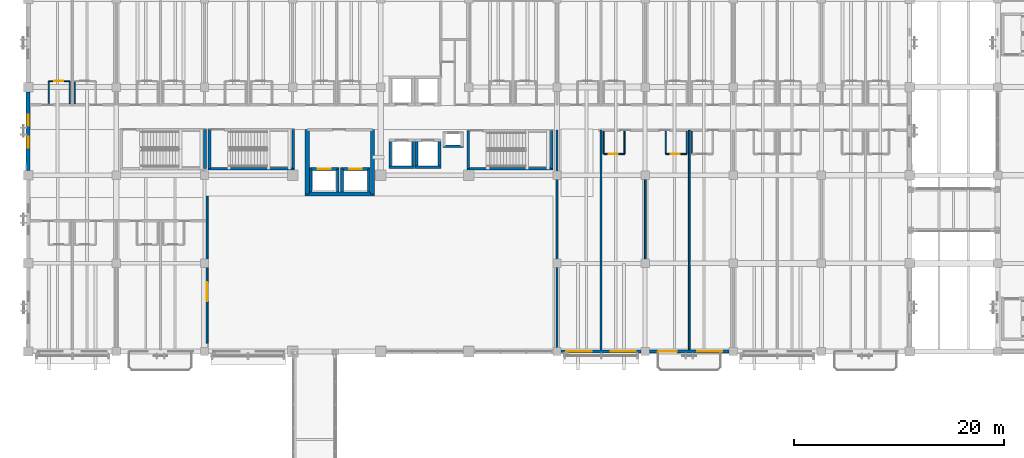
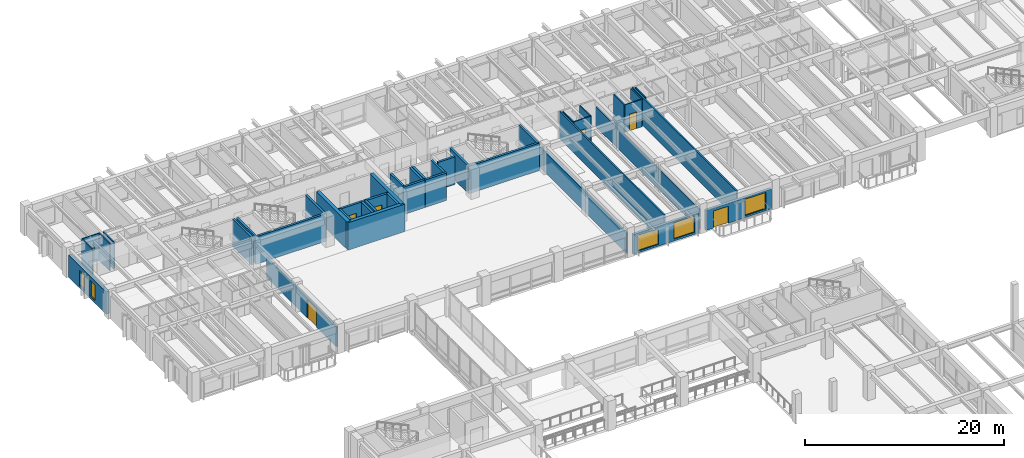
# One storey, part 71 of 118: 42 walls, 7 doors, 5 windows, 12 openings.
"""IFC4 building model written with IfcOpenShell, lengths in metres."""

from ifc_helpers import new_model, si_unit, direction, frame, frame_2d, origin, place, context, subcontext, project, spatial, rectangle, extrude, material, layer, layer_set, type_object, element, fill, save


model = new_model("IFC4")

# Units and contexts
model_context = context("Model", 3, precision=1e-05, world=origin(), true_north=direction((0.0, 1.0)))
body_context = subcontext(model_context, "Body", "Model", "MODEL_VIEW")
ifc_project = project(units=[si_unit("LENGTHUNIT", "METRE"), si_unit("AREAUNIT", "SQUARE_METRE"), si_unit("VOLUMEUNIT", "CUBIC_METRE"), si_unit("PLANEANGLEUNIT", "RADIAN"), si_unit("MASSUNIT", "GRAM", prefix="KILO")], contexts=[model_context])

# Site, building, storey
site_placement = place(None, origin())
site = spatial("IfcSite", under=ifc_project, at=site_placement, CompositionType="ELEMENT")
building_placement = place(site_placement, origin())
building = spatial("IfcBuilding", under=site, at=building_placement, Name="Cumbredor Promenade Congress Hotel", CompositionType="ELEMENT")
storey_placement = place(building_placement, frame((0.0, 0.0, 3.919921875)))
storey = spatial("IfcBuildingStorey", under=building, at=storey_placement, Name="L01", CompositionType="ELEMENT", Elevation=3.919921875)

# Walls
ifc_material_1 = material(Name="Concrete C50/60", Category="concrete")
ifc_layer_1 = layer(ifc_material_1, 0.39990234375, Name="Concrete C50/60", Category="concrete")
ifc_layer_set_1 = layer_set([ifc_layer_1], Name="Concrete C50/60")
wall_type_1 = type_object("IfcWallType", Name="Seismic Shear Core Wall 400mm", PredefinedType="SHEAR", material=ifc_layer_set_1)
wall_1_placement = place(storey_placement, frame((26.60009765625, 99.0, 0.0), z_axis=(0.0, 0.0, 1.0), x_axis=(0.0, 1.0, 0.0)))
element("IfcWall", 1, at=wall_1_placement, inside=storey, type_object=wall_type_1, Name="L01 Hotel Core Shear Wall W1", PredefinedType="SHEAR", context=body_context, shape_type="SweptSolid", body=[
    extrude(rectangle(XDim=6.14990234375, YDim=0.39990234375, at=frame_2d((3.074951171875, 0.0))), origin(), (0.0, 0.0, 1.0), 3.360107421875),
])
wall_2_placement = place(storey_placement, frame((26.39990234375, 99.0, 0.0), z_axis=(0.0, 0.0, 1.0), x_axis=(1.0, 0.0, 0.0)))
element("IfcWall", 2, at=wall_2_placement, inside=storey, type_object=wall_type_1, Name="L01 Hotel Core Shear Wall S1", PredefinedType="SHEAR", context=body_context, shape_type="SweptSolid", body=[
    extrude(rectangle(XDim=6.60009765625, YDim=0.39990234375, at=frame_2d((3.300048828125, 0.0))), origin(), (0.0, 0.0, 1.0), 3.360107421875),
])
wall_3_placement = place(storey_placement, frame((32.800048828125, 99.0, 0.0), z_axis=(0.0, 0.0, 1.0), x_axis=(0.0, 1.0, 0.0)))
element("IfcWall", 3, at=wall_3_placement, inside=storey, type_object=wall_type_1, Name="L01 Hotel Core Shear Wall E1", PredefinedType="SHEAR", context=body_context, shape_type="SweptSolid", body=[
    extrude(rectangle(XDim=6.14990234375, YDim=0.39990234375, at=frame_2d((3.074951171875, 0.0))), origin(), (0.0, 0.0, 1.0), 3.360107421875),
])

# Wall, opening, door
ifc_material_2 = material(Name="Moisture-resistant gypsum board on steel studs", Category="steel")
ifc_layer_2 = layer(ifc_material_2, 0.114990234375, Name="Moisture-resistant gypsum board on steel studs", Category="steel")
ifc_layer_set_2 = layer_set([ifc_layer_2], Name="Moisture-resistant gypsum board on steel studs")
wall_type_2 = type_object("IfcWallType", Name="WL-BATH-115", PredefinedType="PARTITIONING", material=ifc_layer_set_2)
wall_4_placement = place(storey_placement, frame((1.9599609375, 109.77001953125, 0.0), z_axis=(0.0, 0.0, 1.0), x_axis=(1.0, 0.0, 0.0)))
wall_4 = element("IfcWall", 4, at=wall_4_placement, inside=storey, type_object=wall_type_2, Name="L01 Interior Partition W-L01-BH-0101", PredefinedType="PARTITIONING", context=body_context, shape_type="SweptSolid", body=[
    extrude(rectangle(XDim=2.0, YDim=0.114990234375, at=frame_2d((1.0, 0.0))), origin(), (0.0, 0.0, 1.0), 3.360107421875),
])
opening_1_placement = place(wall_4_placement, frame((0.5, 0.0, 0.0)))
opening_1 = element("IfcOpeningElement", 5, at=opening_1_placement, cuts=wall_4, Name="Opening ID-01", PredefinedType="OPENING", context=body_context, shape_type="SweptSolid", body=[
    extrude(rectangle(XDim=0.860107421875, YDim=2.050048828125, at=frame_2d((0.43017578125, 1.02490234375))), frame((0.0, 0.0673828125, 0.0), z_axis=(0.0, -1.0, 0.0), x_axis=(1.0, 0.0, 0.0)), (0.0, 0.0, 1.0), 0.135009765625),
])
ifc_material_3 = material(Name="Kiln-dried tropical hardwood", Category="wood")
door_type_1 = type_object("IfcDoorType", Name="DR-BATH-860", OperationType="NOTDEFINED", PredefinedType="DOOR", material=ifc_material_3)
door_1_placement = place(opening_1_placement, origin())
door_1 = element("IfcDoor", 6, at=door_1_placement, inside=storey, type_object=door_type_1, Name="L01 Interior Door W-L01-BH-0101-01", OperationType="SINGLE_SWING_LEFT", OverallHeight=2.050048828125, OverallWidth=0.860107421875, PredefinedType="DOOR", context=body_context, shape_type="SweptSolid", body=[
    extrude(rectangle(XDim=0.860107421875, YDim=2.050048828125, at=frame_2d((0.43017578125, 1.02490234375))), frame((0.0, 0.02490234375, 0.0), z_axis=(0.0, -1.0, 0.0), x_axis=(1.0, 0.0, 0.0)), (0.0, 0.0, 1.0), 0.050048828125),
])
fill(opening_1, door_1)

# Walls
for number, where, z_axis, x_axis, name in (
    (7, (1.9599609375, 107.6201171875, 0.0), (0.0, 0.0, 1.0), (0.0, 1.0, 0.0), "L01 Interior Partition W-L01-BV1-0101"),
    (8, (3.9599609375, 107.6201171875, 0.0), (0.0, 0.0, 1.0), (0.0, 1.0, 0.0), "L01 Interior Partition W-L01-BV2-0101"),
    (9, (4.43994140625, 107.6201171875, 0.0), (0.0, 0.0, 1.0), (0.0, 1.0, 0.0), "L01 Interior Partition W-L01-BV1-0102"),
):
    element("IfcWall", number, at=place(storey_placement, frame(where, z_axis=z_axis, x_axis=x_axis)), inside=storey, type_object=wall_type_2, Name=name, PredefinedType="PARTITIONING", context=body_context, shape_type="SweptSolid", body=[
        extrude(rectangle(XDim=2.14990234375, YDim=0.114990234375, at=frame_2d((1.074951171875, 0.0))), origin(), (0.0, 0.0, 1.0), 3.360107421875),
    ])

# Wall, opening, door
wall_5_placement = place(storey_placement, frame((54.840087890625, 102.830078125, 0.0), z_axis=(0.0, 0.0, 1.0), x_axis=(1.0, 0.0, 0.0)))
wall_5 = element("IfcWall", 10, at=wall_5_placement, inside=storey, type_object=wall_type_2, Name="L01 Interior Partition W-L01-BH-0119", PredefinedType="PARTITIONING", context=body_context, shape_type="SweptSolid", body=[
    extrude(rectangle(XDim=2.0, YDim=0.114990234375, at=frame_2d((1.0, 0.0))), origin(), (0.0, 0.0, 1.0), 3.360107421875),
])
opening_2_placement = place(wall_5_placement, frame((0.5, 0.0, 0.0)))
opening_2 = element("IfcOpeningElement", 11, at=opening_2_placement, cuts=wall_5, Name="Opening ID-01", PredefinedType="OPENING", context=body_context, shape_type="SweptSolid", body=[
    extrude(rectangle(XDim=0.860107421875, YDim=2.050048828125, at=frame_2d((0.43017578125, 1.02490234375))), frame((0.0, 0.0673828125, 0.0), z_axis=(0.0, -1.0, 0.0), x_axis=(1.0, 0.0, 0.0)), (0.0, 0.0, 1.0), 0.135009765625),
])
door_2_placement = place(opening_2_placement, origin())
door_2 = element("IfcDoor", 12, at=door_2_placement, inside=storey, type_object=door_type_1, Name="L01 Interior Door W-L01-BH-0119-01", OperationType="SINGLE_SWING_LEFT", OverallHeight=2.050048828125, OverallWidth=0.860107421875, PredefinedType="DOOR", context=body_context, shape_type="SweptSolid", body=[
    extrude(rectangle(XDim=0.860107421875, YDim=2.050048828125, at=frame_2d((0.43017578125, 1.02490234375))), frame((0.0, 0.02490234375, 0.0), z_axis=(0.0, -1.0, 0.0), x_axis=(1.0, 0.0, 0.0)), (0.0, 0.0, 1.0), 0.050048828125),
])
fill(opening_2, door_2)

# Walls
for number, where, z_axis, x_axis, name in (
    (13, (54.840087890625, 102.830078125, 0.0), (0.0, 0.0, 1.0), (0.0, 1.0, 0.0), "L01 Interior Partition W-L01-BV1-0119"),
    (14, (56.840087890625, 102.830078125, 0.0), (0.0, 0.0, 1.0), (0.0, 1.0, 0.0), "L01 Interior Partition W-L01-BV2-0119"),
):
    element("IfcWall", number, at=place(storey_placement, frame(where, z_axis=z_axis, x_axis=x_axis)), inside=storey, type_object=wall_type_2, Name=name, PredefinedType="PARTITIONING", context=body_context, shape_type="SweptSolid", body=[
        extrude(rectangle(XDim=2.14990234375, YDim=0.114990234375, at=frame_2d((1.074951171875, 0.0))), origin(), (0.0, 0.0, 1.0), 3.360107421875),
    ])

# Wall, opening, door
wall_6_placement = place(storey_placement, frame((60.760009765625, 102.830078125, 0.0), z_axis=(0.0, 0.0, 1.0), x_axis=(1.0, 0.0, 0.0)))
wall_6 = element("IfcWall", 15, at=wall_6_placement, inside=storey, type_object=wall_type_2, Name="L01 Interior Partition W-L01-BH-0120", PredefinedType="PARTITIONING", context=body_context, shape_type="SweptSolid", body=[
    extrude(rectangle(XDim=2.0, YDim=0.114990234375, at=frame_2d((1.0, 0.0))), origin(), (0.0, 0.0, 1.0), 3.360107421875),
])
opening_3_placement = place(wall_6_placement, frame((0.5, 0.0, 0.0)))
opening_3 = element("IfcOpeningElement", 16, at=opening_3_placement, cuts=wall_6, Name="Opening ID-01", PredefinedType="OPENING", context=body_context, shape_type="SweptSolid", body=[
    extrude(rectangle(XDim=0.860107421875, YDim=2.050048828125, at=frame_2d((0.43017578125, 1.02490234375))), frame((0.0, 0.0673828125, 0.0), z_axis=(0.0, -1.0, 0.0), x_axis=(1.0, 0.0, 0.0)), (0.0, 0.0, 1.0), 0.135009765625),
])
door_3_placement = place(opening_3_placement, origin())
door_3 = element("IfcDoor", 17, at=door_3_placement, inside=storey, type_object=door_type_1, Name="L01 Interior Door W-L01-BH-0120-01", OperationType="SINGLE_SWING_RIGHT", OverallHeight=2.050048828125, OverallWidth=0.860107421875, PredefinedType="DOOR", context=body_context, shape_type="SweptSolid", body=[
    extrude(rectangle(XDim=0.860107421875, YDim=2.050048828125, at=frame_2d((0.43017578125, 1.02490234375))), frame((0.0, 0.02490234375, 0.0), z_axis=(0.0, -1.0, 0.0), x_axis=(1.0, 0.0, 0.0)), (0.0, 0.0, 1.0), 0.050048828125),
])
fill(opening_3, door_3)

# Walls
for number, where, z_axis, x_axis, name in (
    (18, (60.760009765625, 102.830078125, 0.0), (0.0, 0.0, 1.0), (0.0, 1.0, 0.0), "L01 Interior Partition W-L01-BV1-0120"),
    (19, (62.760009765625, 102.830078125, 0.0), (0.0, 0.0, 1.0), (0.0, 1.0, 0.0), "L01 Interior Partition W-L01-BV2-0120"),
    (20, (63.239990234375, 102.830078125, 0.0), (0.0, 0.0, 1.0), (0.0, 1.0, 0.0), "L01 Interior Partition W-L01-BV1-0121"),
):
    element("IfcWall", number, at=place(storey_placement, frame(where, z_axis=z_axis, x_axis=x_axis)), inside=storey, type_object=wall_type_2, Name=name, PredefinedType="PARTITIONING", context=body_context, shape_type="SweptSolid", body=[
        extrude(rectangle(XDim=2.14990234375, YDim=0.114990234375, at=frame_2d((1.074951171875, 0.0))), origin(), (0.0, 0.0, 1.0), 3.360107421875),
    ])

# Wall, opening, door
ifc_material_4 = material(Name="Fire-rated hotel corridor wall")
ifc_layer_3 = layer(ifc_material_4, 0.179931640625, Name="Fire-rated hotel corridor wall")
ifc_layer_set_3 = layer_set([ifc_layer_3], Name="Fire-rated hotel corridor wall")
wall_type_3 = type_object("IfcWallType", Name="WL-CORR-180", PredefinedType="PARTITIONING", material=ifc_layer_set_3)
wall_7_placement = place(storey_placement, frame((17.050048828125, 84.800048828125, 0.0), z_axis=(0.0, 0.0, 1.0), x_axis=(0.0, 1.0, 0.0)))
wall_7 = element("IfcWall", 21, at=wall_7_placement, inside=storey, type_object=wall_type_3, Name="L01 Interior Partition W-L01-CSAL-W", PredefinedType="PARTITIONING", context=body_context, shape_type="SweptSolid", body=[
    extrude(rectangle(XDim=14.0, YDim=0.179931640625, at=frame_2d((7.0, 0.0))), origin(), (0.0, 0.0, 1.0), 2.39501953125),
])
opening_4_placement = place(wall_7_placement, frame((4.0, 0.0, 0.0)))
opening_4 = element("IfcOpeningElement", 22, at=opening_4_placement, cuts=wall_7, Name="Opening FD-10", PredefinedType="OPENING", context=body_context, shape_type="SweptSolid", body=[
    extrude(rectangle(XDim=1.820068359375, YDim=2.25, at=frame_2d((0.91015625, 1.125))), frame((0.0, 0.10009765625, 0.0), z_axis=(0.0, -1.0, 0.0), x_axis=(1.0, 0.0, 0.0)), (0.0, 0.0, 1.0), 0.199951171875),
])
ifc_material_5 = material(Name="Solid-core fire-rated tropical hardwood", Category="wood")
door_type_2 = type_object("IfcDoorType", Name="DR-DBL-FD60-1800", OperationType="DOUBLE_DOOR_SINGLE_SWING", PredefinedType="DOOR", material=ifc_material_5)
door_4_placement = place(opening_4_placement, origin())
door_4 = element("IfcDoor", 23, at=door_4_placement, inside=storey, type_object=door_type_2, Name="L01 Interior Door W-L01-CSAL-W-01", OperationType="DOUBLE_DOOR_SINGLE_SWING", OverallHeight=2.25, OverallWidth=1.820068359375, PredefinedType="DOOR", context=body_context, shape_type="SweptSolid", body=[
    extrude(rectangle(XDim=1.820068359375, YDim=2.25, at=frame_2d((0.91015625, 1.125))), frame((0.0, 0.02490234375, 0.0), z_axis=(0.0, -1.0, 0.0), x_axis=(1.0, 0.0, 0.0)), (0.0, 0.0, 1.0), 0.050048828125),
])
fill(opening_4, door_4)

# Wall, openings, windows
ifc_material_6 = material(Name="Concrete C40/50", Category="concrete")
ifc_layer_4 = layer(ifc_material_6, 0.280029296875, Name="Concrete C40/50", Category="concrete")
ifc_layer_set_4 = layer_set([ifc_layer_4], Name="Concrete C40/50")
wall_type_4 = type_object("IfcWallType", Name="WL-EXT-280", PredefinedType="SOLIDWALL", material=ifc_layer_set_4)
wall_8_placement = place(storey_placement, frame((50.801025390625, 84.0, 0.0), z_axis=(0.0, 0.0, 1.0), x_axis=(1.0, 0.0, 0.0)))
wall_8 = element("IfcWall", 24, at=wall_8_placement, inside=storey, type_object=wall_type_4, Name="L01 Stepped Congress Hotel Wing South Envelope Wall 7", PredefinedType="SOLIDWALL", context=body_context, shape_type="SweptSolid", body=[
    extrude(rectangle(XDim=7.597900390625, YDim=0.280029296875, at=frame_2d((3.798828125, 0.0))), origin(), (0.0, 0.0, 1.0), 2.445068359375),
])
opening_5_placement = place(wall_8_placement, frame((0.489013671875, 0.0, 0.25)))
opening_5 = element("IfcOpeningElement", 25, at=opening_5_placement, cuts=wall_8, Name="Opening WN-37", PredefinedType="OPENING", context=body_context, shape_type="SweptSolid", body=[
    extrude(rectangle(XDim=2.419921875, YDim=1.89990234375, at=frame_2d((1.2099609375, 0.949951171875))), frame((0.0, 0.14990234375, 0.0), z_axis=(0.0, -1.0, 0.0), x_axis=(1.0, 0.0, 0.0)), (0.0, 0.0, 1.0), 0.300048828125),
])
opening_6_placement = place(wall_8_placement, frame((4.708984375, 0.0, 0.25)))
opening_6 = element("IfcOpeningElement", 26, at=opening_6_placement, cuts=wall_8, Name="Opening WN-41", PredefinedType="OPENING", context=body_context, shape_type="SweptSolid", body=[
    extrude(rectangle(XDim=2.3798828125, YDim=2.0, at=frame_2d((1.18994140625, 1.0))), frame((0.0, 0.14990234375, 0.0), z_axis=(0.0, -1.0, 0.0), x_axis=(1.0, 0.0, 0.0)), (0.0, 0.0, 1.0), 0.300048828125),
])
ifc_material_7 = material(Name="Thermally broken anodized aluminium and low-E glass", Category="aluminium")
window_type_1 = type_object("IfcWindowType", Name="Hospitality Floor-to-Ceiling Window WN-37 2420x1900", PartitioningType="DOUBLE_PANEL_VERTICAL", PredefinedType="WINDOW", material=ifc_material_7)
window_1_placement = place(opening_5_placement, origin())
window_1 = element("IfcWindow", 27, at=window_1_placement, inside=storey, type_object=window_type_1, Name="L01 Wide Hospitality Window 0194", OverallHeight=1.89990234375, OverallWidth=2.419921875, PartitioningType="DOUBLE_PANEL_VERTICAL", PredefinedType="WINDOW", context=body_context, shape_type="SweptSolid", body=[
    extrude(rectangle(XDim=2.419921875, YDim=1.89990234375, at=frame_2d((1.2099609375, 0.949951171875))), frame((0.0, 0.030029296875, 0.0), z_axis=(0.0, -1.0, 0.0), x_axis=(1.0, 0.0, 0.0)), (0.0, 0.0, 1.0), 0.06005859375),
])
fill(opening_5, window_1)
window_type_2 = type_object("IfcWindowType", Name="Hospitality Floor-to-Ceiling Window WN-41 2380x2000", PartitioningType="DOUBLE_PANEL_VERTICAL", PredefinedType="WINDOW", material=ifc_material_7)
window_2_placement = place(opening_6_placement, origin())
window_2 = element("IfcWindow", 28, at=window_2_placement, inside=storey, type_object=window_type_2, Name="L01 Wide Hospitality Window 0195", OverallHeight=2.0, OverallWidth=2.3798828125, PartitioningType="DOUBLE_PANEL_VERTICAL", PredefinedType="WINDOW", context=body_context, shape_type="SweptSolid", body=[
    extrude(rectangle(XDim=2.3798828125, YDim=2.0, at=frame_2d((1.18994140625, 1.0))), frame((0.0, 0.030029296875, 0.0), z_axis=(0.0, -1.0, 0.0), x_axis=(1.0, 0.0, 0.0)), (0.0, 0.0, 1.0), 0.06005859375),
])
fill(opening_6, window_2)

# Wall, openings, door, window
ifc_layer_5 = layer(ifc_material_6, 0.300048828125, Name="Concrete C40/50", Category="concrete")
ifc_layer_set_5 = layer_set([ifc_layer_5], Name="Concrete C40/50")
wall_type_5 = type_object("IfcWallType", Name="WL-EXT-300", PredefinedType="SOLIDWALL", material=ifc_layer_set_5)
wall_9_placement = place(storey_placement, frame((59.200927734375, 84.0, 0.0), z_axis=(0.0, 0.0, 1.0), x_axis=(1.0, 0.0, 0.0)))
wall_9 = element("IfcWall", 29, at=wall_9_placement, inside=storey, type_object=wall_type_5, Name="L01 Stepped Congress Hotel Wing South Envelope Wall 8", PredefinedType="SOLIDWALL", context=body_context, shape_type="SweptSolid", body=[
    extrude(rectangle(XDim=7.59814453125, YDim=0.300048828125, at=frame_2d((3.799072265625, 0.0))), origin(), (0.0, 0.0, 1.0), 2.445068359375),
])
opening_7_placement = place(wall_9_placement, frame((0.8740234375, 0.0, 0.0)))
opening_7 = element("IfcOpeningElement", 30, at=opening_7_placement, cuts=wall_9, Name="Opening TD-03", PredefinedType="OPENING", context=body_context, shape_type="SweptSolid", body=[
    extrude(rectangle(XDim=1.75, YDim=2.080078125, at=frame_2d((0.875, 1.0400390625))), frame((0.0, 0.16015625, 0.0), z_axis=(0.0, -1.0, 0.0), x_axis=(1.0, 0.0, 0.0)), (0.0, 0.0, 1.0), 0.320068359375),
])
opening_8_placement = place(wall_9_placement, frame((4.55908203125, 0.0, 0.25)))
opening_8 = element("IfcOpeningElement", 31, at=opening_8_placement, cuts=wall_9, Name="Opening WN-41", PredefinedType="OPENING", context=body_context, shape_type="SweptSolid", body=[
    extrude(rectangle(XDim=2.3798828125, YDim=2.0, at=frame_2d((1.18994140625, 1.0))), frame((0.0, 0.16015625, 0.0), z_axis=(0.0, -1.0, 0.0), x_axis=(1.0, 0.0, 0.0)), (0.0, 0.0, 1.0), 0.320068359375),
])
ifc_material_8 = material(Name="Thermally broken anodized aluminium and laminated safety glass", Category="aluminium")
door_type_3 = type_object("IfcDoorType", Name="EXT-DR-TER-1750x2080", OperationType="DOUBLE_DOOR_SINGLE_SWING", PredefinedType="DOOR", material=ifc_material_8)
door_5_placement = place(opening_7_placement, frame((1.75, 0.0, 0.0), z_axis=(0.0, 0.0, 1.0), x_axis=(-1.0, 0.0, 0.0)))
door_5 = element("IfcDoor", 32, at=door_5_placement, inside=storey, type_object=door_type_3, Name="L01 Guestroom Veranda Balcony Door 032", OperationType="DOUBLE_DOOR_SINGLE_SWING", OverallHeight=2.080078125, OverallWidth=1.75, PredefinedType="DOOR", context=body_context, shape_type="SweptSolid", body=[
    extrude(rectangle(XDim=1.75, YDim=2.080078125, at=frame_2d((0.875, 1.0400390625))), frame((0.0, 0.02490234375, 0.0), z_axis=(0.0, -1.0, 0.0), x_axis=(1.0, 0.0, 0.0)), (0.0, 0.0, 1.0), 0.050048828125),
])
fill(opening_7, door_5)
window_3_placement = place(opening_8_placement, origin())
window_3 = element("IfcWindow", 33, at=window_3_placement, inside=storey, type_object=window_type_2, Name="L01 Veranda Companion Floor-to-Ceiling Window 0196", OverallHeight=2.0, OverallWidth=2.3798828125, PartitioningType="DOUBLE_PANEL_VERTICAL", PredefinedType="WINDOW", context=body_context, shape_type="SweptSolid", body=[
    extrude(rectangle(XDim=2.3798828125, YDim=2.0, at=frame_2d((1.18994140625, 1.0))), frame((0.0, 0.030029296875, 0.0), z_axis=(0.0, -1.0, 0.0), x_axis=(1.0, 0.0, 0.0)), (0.0, 0.0, 1.0), 0.06005859375),
])
fill(opening_8, window_3)

# Wall, openings, windows
ifc_layer_6 = layer(ifc_material_6, 0.3798828125, Name="Concrete C40/50", Category="concrete")
ifc_layer_set_6 = layer_set([ifc_layer_6], Name="Concrete C40/50")
wall_type_6 = type_object("IfcWallType", Name="WL-EXT-380", PredefinedType="SOLIDWALL", material=ifc_layer_set_6)
wall_10_placement = place(storey_placement, frame((0.0, 101.2509765625, 0.0), z_axis=(0.0, 0.0, 1.0), x_axis=(0.0, 1.0, 0.0)))
wall_10 = element("IfcWall", 34, at=wall_10_placement, inside=storey, type_object=wall_type_6, Name="L01 Stepped Congress Hotel Wing West Envelope Wall 3", PredefinedType="SOLIDWALL", context=body_context, shape_type="SweptSolid", body=[
    extrude(rectangle(XDim=7.498046875, YDim=0.3798828125, at=frame_2d((3.7490234375, 0.0))), origin(), (0.0, 0.0, 1.0), 2.734130859375),
])
opening_9_placement = place(wall_10_placement, frame((2.18896484375, 0.0, 0.300048828125)))
opening_9 = element("IfcOpeningElement", 35, at=opening_9_placement, cuts=wall_10, Name="Opening WN-69", PredefinedType="OPENING", context=body_context, shape_type="SweptSolid", body=[
    extrude(rectangle(XDim=1.02001953125, YDim=1.89990234375, at=frame_2d((0.510009765625, 0.949951171875))), frame((0.0, 0.199951171875, 0.0), z_axis=(0.0, -1.0, 0.0), x_axis=(1.0, 0.0, 0.0)), (0.0, 0.0, 1.0), 0.39990234375),
])
opening_10_placement = place(wall_10_placement, frame((4.2890625, 0.0, 0.300048828125)))
opening_10 = element("IfcOpeningElement", 36, at=opening_10_placement, cuts=wall_10, Name="Opening WN-69", PredefinedType="OPENING", context=body_context, shape_type="SweptSolid", body=[
    extrude(rectangle(XDim=1.02001953125, YDim=1.89990234375, at=frame_2d((0.510009765625, 0.949951171875))), frame((0.0, 0.199951171875, 0.0), z_axis=(0.0, -1.0, 0.0), x_axis=(1.0, 0.0, 0.0)), (0.0, 0.0, 1.0), 0.39990234375),
])
window_type_3 = type_object("IfcWindowType", Name="Vertical Slot Window WN-69 1020x1900", PartitioningType="SINGLE_PANEL", PredefinedType="WINDOW", material=ifc_material_7)
window_4_placement = place(opening_9_placement, origin())
window_4 = element("IfcWindow", 37, at=window_4_placement, inside=storey, type_object=window_type_3, Name="L01 Vertical Slot Window 0222", OverallHeight=1.89990234375, OverallWidth=1.02001953125, PartitioningType="SINGLE_PANEL", PredefinedType="WINDOW", context=body_context, shape_type="SweptSolid", body=[
    extrude(rectangle(XDim=1.02001953125, YDim=1.89990234375, at=frame_2d((0.510009765625, 0.949951171875))), frame((0.0, 0.030029296875, 0.0), z_axis=(0.0, -1.0, 0.0), x_axis=(1.0, 0.0, 0.0)), (0.0, 0.0, 1.0), 0.06005859375),
])
fill(opening_9, window_4)
window_5_placement = place(opening_10_placement, origin())
window_5 = element("IfcWindow", 38, at=window_5_placement, inside=storey, type_object=window_type_3, Name="L01 Vertical Slot Window 0223", OverallHeight=1.89990234375, OverallWidth=1.02001953125, PartitioningType="SINGLE_PANEL", PredefinedType="WINDOW", context=body_context, shape_type="SweptSolid", body=[
    extrude(rectangle(XDim=1.02001953125, YDim=1.89990234375, at=frame_2d((0.510009765625, 0.949951171875))), frame((0.0, 0.030029296875, 0.0), z_axis=(0.0, -1.0, 0.0), x_axis=(1.0, 0.0, 0.0)), (0.0, 0.0, 1.0), 0.06005859375),
])
fill(opening_10, window_5)

# Walls
ifc_layer_7 = layer(ifc_material_6, 0.2548828125, Name="Concrete C40/50", Category="concrete")
ifc_layer_set_7 = layer_set([ifc_layer_7], Name="Concrete C40/50")
wall_type_7 = type_object("IfcWallType", Name="WL-SHAFT-250", PredefinedType="SOLIDWALL", material=ifc_layer_set_7)
wall_11_placement = place(storey_placement, frame((16.85009765625, 101.419921875, 0.0), z_axis=(0.0, 0.0, 1.0), x_axis=(0.0, 1.0, 0.0)))
element("IfcWall", 39, at=wall_11_placement, inside=storey, type_object=wall_type_7, Name="STAIR-ST-01-L01 Shaft Wall East", PredefinedType="SOLIDWALL", context=body_context, shape_type="SweptSolid", body=[
    extrude(rectangle(XDim=3.72998046875, YDim=0.2548828125, at=frame_2d((1.864990234375, 0.0))), origin(), (0.0, 0.0, 1.0), 3.360107421875),
])
wall_12_placement = place(storey_placement, frame((17.152587890625, 101.419921875, 0.0), z_axis=(0.0, 0.0, 1.0), x_axis=(1.0, 0.0, 0.0)))
element("IfcWall", 40, at=wall_12_placement, inside=storey, type_object=wall_type_7, Name="STAIR-ST-02-L01 Shaft Wall South", PredefinedType="SOLIDWALL", context=body_context, shape_type="SweptSolid", body=[
    extrude(rectangle(XDim=8.224853515625, YDim=0.2548828125, at=frame_2d((4.1123046875, 0.0))), origin(), (0.0, 0.0, 1.0), 3.360107421875),
])
for number, where, z_axis, x_axis, name in (
    (41, (17.280029296875, 101.419921875, 0.0), (0.0, 0.0, 1.0), (0.0, 1.0, 0.0), "STAIR-ST-02-L01 Shaft Wall West"),
    (42, (25.25, 101.419921875, 0.0), (0.0, 0.0, 1.0), (0.0, 1.0, 0.0), "STAIR-ST-02-L01 Shaft Wall East"),
):
    element("IfcWall", number, at=place(storey_placement, frame(where, z_axis=z_axis, x_axis=x_axis)), inside=storey, type_object=wall_type_7, Name=name, PredefinedType="SOLIDWALL", context=body_context, shape_type="SweptSolid", body=[
        extrude(rectangle(XDim=3.72998046875, YDim=0.2548828125, at=frame_2d((1.864990234375, 0.0))), origin(), (0.0, 0.0, 1.0), 3.360107421875),
    ])
wall_13_placement = place(storey_placement, frame((41.802490234375, 101.419921875, 0.0), z_axis=(0.0, 0.0, 1.0), x_axis=(1.0, 0.0, 0.0)))
element("IfcWall", 43, at=wall_13_placement, inside=storey, type_object=wall_type_7, Name="STAIR-ST-03-L01 Shaft Wall South", PredefinedType="SOLIDWALL", context=body_context, shape_type="SweptSolid", body=[
    extrude(rectangle(XDim=8.22509765625, YDim=0.2548828125, at=frame_2d((4.112548828125, 0.0))), origin(), (0.0, 0.0, 1.0), 3.360107421875),
])
for number, where, z_axis, x_axis, name in (
    (44, (41.929931640625, 101.419921875, 0.0), (0.0, 0.0, 1.0), (0.0, 1.0, 0.0), "STAIR-ST-03-L01 Shaft Wall West"),
    (45, (49.89990234375, 101.419921875, 0.0), (0.0, 0.0, 1.0), (0.0, 1.0, 0.0), "STAIR-ST-03-L01 Shaft Wall East"),
):
    element("IfcWall", number, at=place(storey_placement, frame(where, z_axis=z_axis, x_axis=x_axis)), inside=storey, type_object=wall_type_7, Name=name, PredefinedType="SOLIDWALL", context=body_context, shape_type="SweptSolid", body=[
        extrude(rectangle(XDim=3.630126953125, YDim=0.2548828125, at=frame_2d((1.81494140625, 0.0))), origin(), (0.0, 0.0, 1.0), 3.360107421875),
    ])

# Wall, opening, door
wall_14_placement = place(storey_placement, frame((26.802490234375, 101.39990234375, 0.0), z_axis=(0.0, 0.0, 1.0), x_axis=(1.0, 0.0, 0.0)))
wall_14 = element("IfcWall", 46, at=wall_14_placement, inside=storey, type_object=wall_type_7, Name="SHAFT-FF-01-L01 Shaft Wall North", PredefinedType="SOLIDWALL", context=body_context, shape_type="SweptSolid", body=[
    extrude(rectangle(XDim=2.824951171875, YDim=0.2548828125, at=frame_2d((1.41259765625, 0.0))), origin(), (0.0, 0.0, 1.0), 3.360107421875),
])
opening_11_placement = place(wall_14_placement, frame((0.8125, 0.0, 0.0)))
opening_11 = element("IfcOpeningElement", 47, at=opening_11_placement, cuts=wall_14, Name="Opening LD-02", PredefinedType="OPENING", context=body_context, shape_type="SweptSolid", body=[
    extrude(rectangle(XDim=1.199951171875, YDim=2.199951171875, at=frame_2d((0.60009765625, 1.10009765625))), frame((0.0, 0.137451171875, 0.0), z_axis=(0.0, -1.0, 0.0), x_axis=(1.0, 0.0, 0.0)), (0.0, 0.0, 1.0), 0.27490234375),
])
ifc_material_9 = material(Name="Brushed stainless steel", Category="steel")
door_type_4 = type_object("IfcDoorType", Name="Firefighting Lift Sliding Door LD-02 1200x2200", OperationType="DOUBLE_DOOR_SLIDING", PredefinedType="DOOR", material=ifc_material_9)
door_6_placement = place(opening_11_placement, origin())
door_6 = element("IfcDoor", 48, at=door_6_placement, inside=storey, type_object=door_type_4, Name="L01 Firefighting Lift FF-01 Sliding Landing Door", OperationType="DOUBLE_DOOR_SLIDING", OverallHeight=2.199951171875, OverallWidth=1.199951171875, PredefinedType="DOOR", context=body_context, shape_type="SweptSolid", body=[
    extrude(rectangle(XDim=1.199951171875, YDim=2.199951171875, at=frame_2d((0.60009765625, 1.10009765625))), frame((0.0, 0.02490234375, 0.0), z_axis=(0.0, -1.0, 0.0), x_axis=(1.0, 0.0, 0.0)), (0.0, 0.0, 1.0), 0.050048828125),
])
fill(opening_11, door_6)

# Walls
for number, where, z_axis, x_axis, name in (
    (49, (26.929931640625, 99.199951171875, 0.0), (0.0, 0.0, 1.0), (0.0, 1.0, 0.0), "SHAFT-FF-01-L01 Shaft Wall West"),
    (50, (29.5, 99.199951171875, 0.0), (0.0, 0.0, 1.0), (0.0, 1.0, 0.0), "SHAFT-FF-01-L01 Shaft Wall East"),
):
    element("IfcWall", number, at=place(storey_placement, frame(where, z_axis=z_axis, x_axis=x_axis)), inside=storey, type_object=wall_type_7, Name=name, PredefinedType="SOLIDWALL", context=body_context, shape_type="SweptSolid", body=[
        extrude(rectangle(XDim=2.199951171875, YDim=0.2548828125, at=frame_2d((1.10009765625, 0.0))), origin(), (0.0, 0.0, 1.0), 3.360107421875),
    ])

# Wall, opening, door
wall_15_placement = place(storey_placement, frame((29.7724609375, 101.39990234375, 0.0), z_axis=(0.0, 0.0, 1.0), x_axis=(1.0, 0.0, 0.0)))
wall_15 = element("IfcWall", 51, at=wall_15_placement, inside=storey, type_object=wall_type_7, Name="SHAFT-FF-02-L01 Shaft Wall North", PredefinedType="SOLIDWALL", context=body_context, shape_type="SweptSolid", body=[
    extrude(rectangle(XDim=2.824951171875, YDim=0.2548828125, at=frame_2d((1.41259765625, 0.0))), origin(), (0.0, 0.0, 1.0), 3.360107421875),
])
opening_12_placement = place(wall_15_placement, frame((0.8125, 0.0, 0.0)))
opening_12 = element("IfcOpeningElement", 52, at=opening_12_placement, cuts=wall_15, Name="Opening LD-02", PredefinedType="OPENING", context=body_context, shape_type="SweptSolid", body=[
    extrude(rectangle(XDim=1.199951171875, YDim=2.199951171875, at=frame_2d((0.60009765625, 1.10009765625))), frame((0.0, 0.137451171875, 0.0), z_axis=(0.0, -1.0, 0.0), x_axis=(1.0, 0.0, 0.0)), (0.0, 0.0, 1.0), 0.27490234375),
])
door_7_placement = place(opening_12_placement, origin())
door_7 = element("IfcDoor", 53, at=door_7_placement, inside=storey, type_object=door_type_4, Name="L01 Firefighting Lift FF-02 Sliding Landing Door", OperationType="DOUBLE_DOOR_SLIDING", OverallHeight=2.199951171875, OverallWidth=1.199951171875, PredefinedType="DOOR", context=body_context, shape_type="SweptSolid", body=[
    extrude(rectangle(XDim=1.199951171875, YDim=2.199951171875, at=frame_2d((0.60009765625, 1.10009765625))), frame((0.0, 0.02490234375, 0.0), z_axis=(0.0, -1.0, 0.0), x_axis=(1.0, 0.0, 0.0)), (0.0, 0.0, 1.0), 0.050048828125),
])
fill(opening_12, door_7)

# Walls
for number, where, z_axis, x_axis, name in (
    (54, (29.89990234375, 99.199951171875, 0.0), (0.0, 0.0, 1.0), (0.0, 1.0, 0.0), "SHAFT-FF-02-L01 Shaft Wall West"),
    (55, (32.469970703125, 99.199951171875, 0.0), (0.0, 0.0, 1.0), (0.0, 1.0, 0.0), "SHAFT-FF-02-L01 Shaft Wall East"),
):
    element("IfcWall", number, at=place(storey_placement, frame(where, z_axis=z_axis, x_axis=x_axis)), inside=storey, type_object=wall_type_7, Name=name, PredefinedType="SOLIDWALL", context=body_context, shape_type="SweptSolid", body=[
        extrude(rectangle(XDim=2.199951171875, YDim=0.2548828125, at=frame_2d((1.10009765625, 0.0))), origin(), (0.0, 0.0, 1.0), 3.360107421875),
    ])
wall_16_placement = place(storey_placement, frame((34.37255859375, 101.550048828125, 0.0), z_axis=(0.0, 0.0, 1.0), x_axis=(1.0, 0.0, 0.0)))
element("IfcWall", 56, at=wall_16_placement, inside=storey, type_object=wall_type_7, Name="SHAFT-PL-03-L01 Shaft Wall South", PredefinedType="SOLIDWALL", context=body_context, shape_type="SweptSolid", body=[
    extrude(rectangle(XDim=2.454833984375, YDim=0.2548828125, at=frame_2d((1.2275390625, 0.0))), origin(), (0.0, 0.0, 1.0), 3.360107421875),
])
for number, where, z_axis, x_axis, name in (
    (57, (34.5, 101.550048828125, 0.0), (0.0, 0.0, 1.0), (0.0, 1.0, 0.0), "SHAFT-PL-03-L01 Shaft Wall West"),
    (58, (36.699951171875, 101.550048828125, 0.0), (0.0, 0.0, 1.0), (0.0, 1.0, 0.0), "SHAFT-PL-03-L01 Shaft Wall East"),
):
    element("IfcWall", number, at=place(storey_placement, frame(where, z_axis=z_axis, x_axis=x_axis)), inside=storey, type_object=wall_type_7, Name=name, PredefinedType="SOLIDWALL", context=body_context, shape_type="SweptSolid", body=[
        extrude(rectangle(XDim=2.599853515625, YDim=0.2548828125, at=frame_2d((1.2998046875, 0.0))), origin(), (0.0, 0.0, 1.0), 3.360107421875),
    ])
wall_17_placement = place(storey_placement, frame((36.87255859375, 101.550048828125, 0.0), z_axis=(0.0, 0.0, 1.0), x_axis=(1.0, 0.0, 0.0)))
element("IfcWall", 59, at=wall_17_placement, inside=storey, type_object=wall_type_7, Name="SHAFT-PL-04-L01 Shaft Wall South", PredefinedType="SOLIDWALL", context=body_context, shape_type="SweptSolid", body=[
    extrude(rectangle(XDim=2.454833984375, YDim=0.2548828125, at=frame_2d((1.2275390625, 0.0))), origin(), (0.0, 0.0, 1.0), 3.360107421875),
])
for number, where, z_axis, x_axis, name in (
    (60, (37.0, 101.550048828125, 0.0), (0.0, 0.0, 1.0), (0.0, 1.0, 0.0), "SHAFT-PL-04-L01 Shaft Wall West"),
    (61, (39.199951171875, 101.550048828125, 0.0), (0.0, 0.0, 1.0), (0.0, 1.0, 0.0), "SHAFT-PL-04-L01 Shaft Wall East"),
):
    element("IfcWall", number, at=place(storey_placement, frame(where, z_axis=z_axis, x_axis=x_axis)), inside=storey, type_object=wall_type_7, Name=name, PredefinedType="SOLIDWALL", context=body_context, shape_type="SweptSolid", body=[
        extrude(rectangle(XDim=2.599853515625, YDim=0.2548828125, at=frame_2d((1.2998046875, 0.0))), origin(), (0.0, 0.0, 1.0), 3.360107421875),
    ])
wall_18_placement = place(storey_placement, frame((39.5224609375, 103.550048828125, 0.0), z_axis=(0.0, 0.0, 1.0), x_axis=(1.0, 0.0, 0.0)))
element("IfcWall", 62, at=wall_18_placement, inside=storey, type_object=wall_type_7, Name="RISER-MEP-R1-L01 Shaft Wall South", PredefinedType="SOLIDWALL", context=body_context, shape_type="SweptSolid", body=[
    extrude(rectangle(XDim=1.955078125, YDim=0.2548828125, at=frame_2d((0.9775390625, 0.0))), origin(), (0.0, 0.0, 1.0), 3.360107421875),
])
ifc_material_10 = material(Name="Fire-rated acoustic double-stud partition")
ifc_layer_8 = layer(ifc_material_10, 0.1650390625, Name="Fire-rated acoustic double-stud partition")
ifc_layer_set_8 = layer_set([ifc_layer_8], Name="Fire-rated acoustic double-stud partition")
wall_type_8 = type_object("IfcWallType", Name="WL-UNIT-165", PredefinedType="PARTITIONING", material=ifc_layer_set_8)
wall_19_placement = place(storey_placement, frame((54.60009765625, 84.139892578125, 0.0), z_axis=(0.0, 0.0, 1.0), x_axis=(0.0, 1.0, 0.0)))
element("IfcWall", 63, at=wall_19_placement, inside=storey, type_object=wall_type_8, Name="L01 Interior Partition W-L01-SE-DIV-0-M", PredefinedType="PARTITIONING", context=body_context, shape_type="SweptSolid", body=[
    extrude(rectangle(XDim=20.960205078125, YDim=0.1650390625, at=frame_2d((10.47998046875, 0.0))), origin(), (0.0, 0.0, 1.0), 3.360107421875),
])
wall_20_placement = place(storey_placement, frame((50.39990234375, 84.35009765625, 0.0), z_axis=(0.0, 0.0, 1.0), x_axis=(0.0, 1.0, 0.0)))
element("IfcWall", 64, at=wall_20_placement, inside=storey, type_object=wall_type_8, Name="L01 Interior Partition W-L01-SE-DIV-0-G", PredefinedType="PARTITIONING", context=body_context, shape_type="SweptSolid", body=[
    extrude(rectangle(XDim=20.75, YDim=0.1650390625, at=frame_2d((10.375, 0.0))), origin(), (0.0, 0.0, 1.0), 2.4951171875),
])
wall_21_placement = place(storey_placement, frame((63.0, 84.14990234375, 0.0), z_axis=(0.0, 0.0, 1.0), x_axis=(0.0, 1.0, 0.0)))
element("IfcWall", 65, at=wall_21_placement, inside=storey, type_object=wall_type_8, Name="L01 Interior Partition W-L01-SE-DIV-1-M", PredefinedType="PARTITIONING", context=body_context, shape_type="SweptSolid", body=[
    extrude(rectangle(XDim=20.9501953125, YDim=0.1650390625, at=frame_2d((10.47509765625, 0.0))), origin(), (0.0, 0.0, 1.0), 3.360107421875),
])
wall_22_placement = place(storey_placement, frame((58.800048828125, 84.35009765625, 0.0), z_axis=(0.0, 0.0, 1.0), x_axis=(0.0, 1.0, 0.0)))
element("IfcWall", 66, at=wall_22_placement, inside=storey, type_object=wall_type_8, Name="L01 Interior Partition W-L01-SE-DIV-1-G", PredefinedType="PARTITIONING", context=body_context, shape_type="SweptSolid", body=[
    extrude(rectangle(XDim=20.75, YDim=0.1650390625, at=frame_2d((10.375, 0.0))), origin(), (0.0, 0.0, 1.0), 2.4951171875),
])

save(model, "model.ifc")
